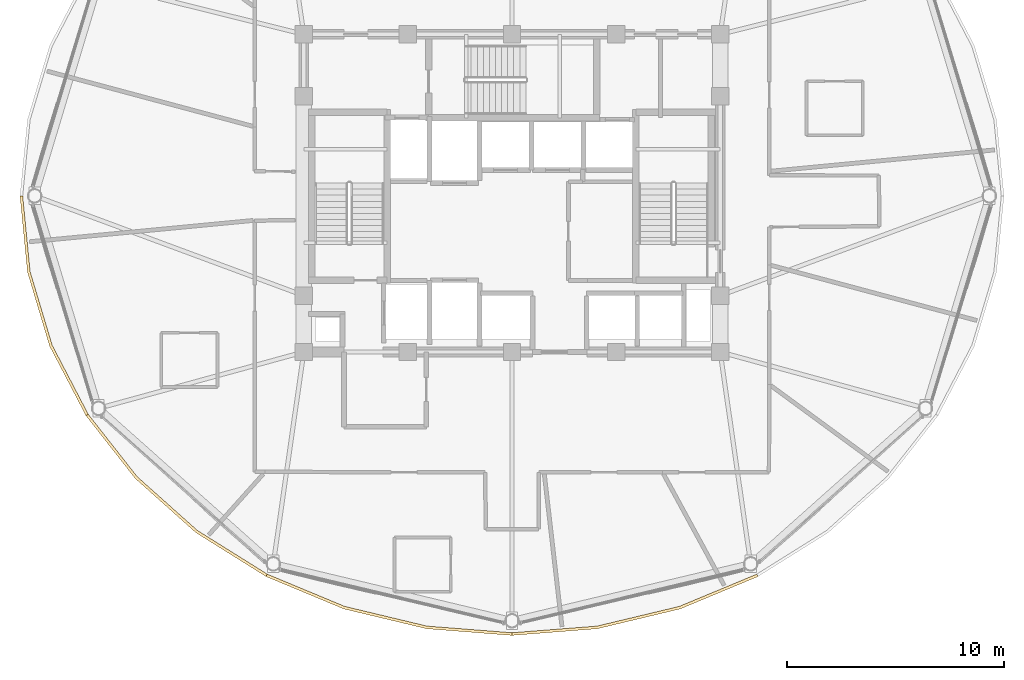
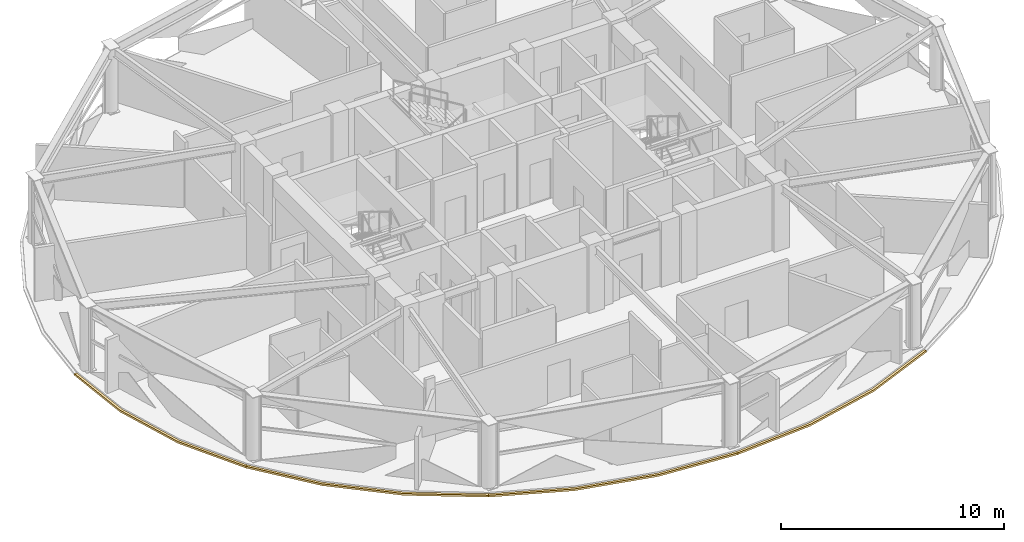
# One storey, part 25 of 28: 4 coverings.
"""IFC4 building model written with IfcOpenShell, lengths in metres."""

import ifcopenshell
import ifcopenshell.guid

model = None  # the IFC model being written
_history = None  # IfcOwnerHistory: only IFC2X3 demands one
_inside = {}  # id of a spatial element -> (the spatial element, [elements in it])
_under = {}  # id of a project, library or spatial element -> (it, [spatial elements below it])
_declared = {}  # id of a project -> (the project, [libraries it declares])
_typed = {}  # id of a type object -> (the type object, [elements of that type])
_made_of = {}  # id of a material, layer set ... -> (it, [elements and type objects made of it])


def new_model(schema):
    """Start an empty IFC model of exactly this schema.

    Asked for "IFC4X3", IfcOpenShell would pick the latest addendum, in which some entities
    have other attributes; the version numbers below select the first issue.
    IFC2X3 requires an IfcOwnerHistory on every rooted entity: one is made here for all.
    """
    global model, _history
    if schema == "IFC4X3":
        model = ifcopenshell.file(schema_version=(4, 3, 0, 0))
    else:
        model = ifcopenshell.file(schema=schema)
    _inside.clear()
    _under.clear()
    _declared.clear()
    _typed.clear()
    _made_of.clear()
    _history = None
    if model.schema == "IFC2X3":
        org = make("IfcOrganization", Name="unknown")
        user = make(
            "IfcPersonAndOrganization",
            ThePerson=make("IfcPerson", FamilyName="unknown"),
            TheOrganization=org,
        )
        app = make(
            "IfcApplication",
            ApplicationDeveloper=org,
            Version="unknown",
            ApplicationFullName="unknown",
            ApplicationIdentifier="unknown",
        )
        _history = make(
            "IfcOwnerHistory",
            OwningUser=user,
            OwningApplication=app,
            ChangeAction="ADDED",
            CreationDate=0,
        )
    return model


def make(cls, **values):
    """One entity of the class cls with the attributes given. An attribute that is None is left unset."""
    return model.create_entity(
        cls, **{name: value for name, value in values.items() if value is not None}
    )


def rooted(cls, **values):
    """An entity with a GlobalId (a new one), such as an element, a storey or a relation."""
    return make(cls, GlobalId=ifcopenshell.guid.new(), OwnerHistory=_history, **values)


def si_unit(unit_type, name, prefix=None):
    """IfcSIUnit, for example si_unit("LENGTHUNIT", "METRE", prefix="MILLI")."""
    return make("IfcSIUnit", UnitType=unit_type, Prefix=prefix, Name=name)


def assignment(units):
    """IfcUnitAssignment: the units of a project."""
    return None if units is None else make("IfcUnitAssignment", Units=units)


def point(xyz):
    """IfcCartesianPoint."""
    return None if xyz is None else make("IfcCartesianPoint", Coordinates=xyz)


def direction(xyz):
    """IfcDirection."""
    return None if xyz is None else make("IfcDirection", DirectionRatios=xyz)


def frame(location, z_axis=None, x_axis=None):
    """IfcAxis2Placement3D, a coordinate frame: its origin and axes. An axis left out is left unset."""
    return make(
        "IfcAxis2Placement3D",
        Location=point(location),
        Axis=direction(z_axis),
        RefDirection=direction(x_axis),
    )


def origin():
    """The frame at (0, 0, 0) with its axes left unset."""
    return frame((0.0, 0.0, 0.0))


def place(relative_to, where):
    """IfcLocalPlacement: puts the frame where relative to a parent placement (None: the world)."""
    return make(
        "IfcLocalPlacement", PlacementRelTo=relative_to, RelativePlacement=where
    )


def context(
    kind, dimensions, precision=None, world=None, true_north=None, identifier=None
):
    """IfcGeometricRepresentationContext, for example the 3D "Model" context."""
    return make(
        "IfcGeometricRepresentationContext",
        ContextIdentifier=identifier,
        ContextType=kind,
        CoordinateSpaceDimension=dimensions,
        Precision=precision,
        WorldCoordinateSystem=world,
        TrueNorth=true_north,
    )


def subcontext(parent, identifier, kind, view, scale=None):
    """IfcGeometricRepresentationSubContext, for example "Body" below "Model"."""
    return make(
        "IfcGeometricRepresentationSubContext",
        ContextIdentifier=identifier,
        ContextType=kind,
        ParentContext=parent,
        TargetScale=scale,
        TargetView=view,
    )


def project(units=None, contexts=None):
    """IfcProject with its units and contexts."""
    return rooted(
        "IfcProject",
        Name="project",
        RepresentationContexts=contexts,
        UnitsInContext=assignment(units),
    )


def spatial(cls, under=None, at=None, **own):
    """A site, building, storey or space (cls), placed at a placement, below another one or the project."""
    s = rooted(cls, ObjectPlacement=at, **own)
    if under is not None:
        _under.setdefault(under.id(), (under, []))[1].append(s)
    return s


def polyline(points):
    """IfcPolyline through the points."""
    return make("IfcPolyline", Points=[point(p) for p in points])


def outline(outer, holes=None, kind="AREA"):
    """IfcArbitraryClosedProfileDef: a profile drawn as a closed curve; with holes, ...WithVoids."""
    if holes is None:
        return make("IfcArbitraryClosedProfileDef", ProfileType=kind, OuterCurve=outer)
    return make(
        "IfcArbitraryProfileDefWithVoids",
        ProfileType=kind,
        OuterCurve=outer,
        InnerCurves=holes,
    )


def extrude(swept, where, along, depth):
    """IfcExtrudedAreaSolid: the profile swept, set in the frame where, extruded along a direction by depth."""
    return make(
        "IfcExtrudedAreaSolid",
        SweptArea=swept,
        Position=where,
        ExtrudedDirection=direction(along),
        Depth=depth,
    )


def shape(context_of_items, identifier, shape_type, items):
    """IfcShapeRepresentation: the items that make up one representation, for example the "Body"."""
    return make(
        "IfcShapeRepresentation",
        ContextOfItems=context_of_items,
        RepresentationIdentifier=identifier,
        RepresentationType=shape_type,
        Items=items,
    )


def material(Name=None, Category=None):
    """IfcMaterial."""
    return make("IfcMaterial", Name=Name, Category=Category)


def layer(
    of_material, thickness, ventilated=None, Name=None, Category=None, Priority=None
):
    """IfcMaterialLayer: one layer of a wall or slab, of a material (None: an air gap)."""
    return make(
        "IfcMaterialLayer",
        Material=of_material,
        LayerThickness=thickness,
        IsVentilated=ventilated,
        Name=Name,
        Category=Category,
        Priority=Priority,
    )


def layer_set(layers, Name=None):
    """IfcMaterialLayerSet."""
    return make("IfcMaterialLayerSet", MaterialLayers=layers, LayerSetName=Name)


def made_of(thing, what):
    """Note that an element or type object is made of a material, layer set ...; save() writes the relation."""
    if what is not None:
        _made_of.setdefault(what.id(), (what, []))[1].append(thing)
    return thing


def type_object(cls, material=None, **own):
    """A type object (cls), such as IfcWallType, which elements share."""
    return made_of(rooted(cls, **own), material)


def element(
    cls,
    number,
    at=None,
    inside=None,
    cuts=None,
    type_object=None,
    material=None,
    context=None,
    identifier="Body",
    shape_type=None,
    held_by="IfcProductDefinitionShape",
    body=None,
    shapes=None,
    **own,
):
    """One element of the class cls, such as IfcWall. Its Tag is "e" and its number.

    at: its placement. inside: the storey or other place that contains it. cuts: it is an
    opening in that element (IfcRelVoidsElement). A single representation is given by context,
    identifier, shape_type and body (its items); several are given by shapes. held_by: the class
    of the entity that holds the representations. save() writes the other relations.
    """
    e = rooted(cls, Tag="e%d" % number, ObjectPlacement=at, **own)
    if body is not None:
        shapes = [shape(context, identifier, shape_type, body)]
    if shapes is not None:
        e.Representation = make(held_by, Representations=shapes)
    if inside is not None:
        _inside.setdefault(inside.id(), (inside, []))[1].append(e)
    if cuts is not None:
        rooted(
            "IfcRelVoidsElement", RelatingBuildingElement=cuts, RelatedOpeningElement=e
        )
    if type_object is not None:
        _typed.setdefault(type_object.id(), (type_object, []))[1].append(e)
    return made_of(e, material)


def aggregate(whole, parts):
    """IfcRelAggregates: a whole, such as a stair, and the parts it consists of."""
    return rooted("IfcRelAggregates", RelatingObject=whole, RelatedObjects=parts)


def save(model, path):
    """Write the relations noted so far, then the file.

    IfcRelAggregates (storeys below a building ...), IfcRelContainedInSpatialStructure (elements
    in a storey), IfcRelDefinesByType, IfcRelAssociatesMaterial and IfcRelDeclares: one each for
    every whole, place, type object, material and project.
    """
    for whole, parts in _under.values():
        aggregate(whole, parts)
    for where, things in _inside.values():
        rooted(
            "IfcRelContainedInSpatialStructure",
            RelatedElements=things,
            RelatingStructure=where,
        )
    for kind, things in _typed.values():
        rooted("IfcRelDefinesByType", RelatedObjects=things, RelatingType=kind)
    for what, things in _made_of.values():
        rooted("IfcRelAssociatesMaterial", RelatedObjects=things, RelatingMaterial=what)
    for by, libraries in _declared.values():
        rooted("IfcRelDeclares", RelatingContext=by, RelatedDefinitions=libraries)
    model.write(path)


model = new_model("IFC4")

# Units and contexts
model_context = context("Model", 3, precision=1e-05, world=origin(), true_north=direction((0.0, 1.0)))
body_context = subcontext(model_context, "Body", "Model", "MODEL_VIEW")
ifc_project = project(units=[si_unit("LENGTHUNIT", "METRE"), si_unit("AREAUNIT", "SQUARE_METRE"), si_unit("VOLUMEUNIT", "CUBIC_METRE"), si_unit("PLANEANGLEUNIT", "RADIAN"), si_unit("MASSUNIT", "GRAM", prefix="KILO")], contexts=[model_context])

# Site, building, storey
site_placement = place(None, origin())
site = spatial("IfcSite", under=ifc_project, at=site_placement, CompositionType="ELEMENT")
building_placement = place(site_placement, origin())
building = spatial("IfcBuilding", under=site, at=building_placement, Name="Vantalir Tower", CompositionType="ELEMENT")
storey_placement = place(building_placement, frame((0.0, 0.0, 223.64990234375)))
storey = spatial("IfcBuildingStorey", under=building, at=storey_placement, Name="L56", CompositionType="ELEMENT", Elevation=223.64990234375)

# Coverings
ifc_material = material(Name="Anodised champagne aluminium sill fascia", Category="aluminium")
ifc_layer = layer(ifc_material, 0.125)
ifc_layer_set = layer_set([ifc_layer], Name="Anodised champagne aluminium sill fascia")
covering_type = type_object("IfcCoveringType", Name="COV-SLAB-FASCIA-125", PredefinedType="CLADDING", material=ifc_layer_set)
covering_1_placement = place(storey_placement, frame((0.0, 0.0, -0.179931640625)))
element("IfcCovering", 1, at=covering_1_placement, inside=storey, type_object=covering_type, Name="L56 Perimeter Slab-Edge Sill Fascia 07", PredefinedType="CLADDING", context=body_context, shape_type="SweptSolid", body=[
    extrude(outline(polyline([(8.81201171875, 25.0), (9.156982421875, 21.47998046875), (10.179931640625, 18.06689453125), (11.85205078125, 14.864013671875), (11.9599609375, 14.927001953125), (10.298095703125, 18.110107421875), (9.280029296875, 21.501953125), (8.93701171875, 25.0), (8.81201171875, 25.0)])), origin(), (0.0, 0.0, 1.0), 0.10498046875),
])
covering_2_placement = place(storey_placement, frame((0.0, 0.0, -0.179931640625)))
element("IfcCovering", 2, at=covering_2_placement, inside=storey, type_object=covering_type, Name="L56 Perimeter Slab-Edge Sill Fascia 08", PredefinedType="CLADDING", context=body_context, shape_type="SweptSolid", body=[
    extrude(outline(polyline([(11.85205078125, 14.864013671875), (14.1201171875, 11.969970703125), (16.916015625, 9.471923828125), (20.156005859375, 7.445068359375), (20.218017578125, 7.552978515625), (16.9970703125, 9.56689453125), (14.216064453125, 12.050048828125), (11.9599609375, 14.927001953125), (11.85205078125, 14.864013671875)])), origin(), (0.0, 0.0, 1.0), 0.10498046875),
])
covering_3_placement = place(storey_placement, frame((0.0, 0.0, -0.179931640625)))
element("IfcCovering", 3, at=covering_3_placement, inside=storey, type_object=covering_type, Name="L56 Perimeter Slab-Edge Sill Fascia 09", PredefinedType="CLADDING", context=body_context, shape_type="SweptSolid", body=[
    extrude(outline(polyline([(20.156005859375, 7.445068359375), (23.739990234375, 5.950927734375), (27.56005859375, 5.037109375), (31.5, 4.72900390625), (31.5, 4.85400390625), (27.58203125, 5.159912109375), (23.782958984375, 6.069091796875), (20.218017578125, 7.552978515625), (20.156005859375, 7.445068359375)])), origin(), (0.0, 0.0, 1.0), 0.10498046875),
])
covering_4_placement = place(storey_placement, frame((0.0, 0.0, -0.179931640625)))
element("IfcCovering", 4, at=covering_4_placement, inside=storey, type_object=covering_type, Name="L56 Perimeter Slab-Edge Sill Fascia 10", PredefinedType="CLADDING", context=body_context, shape_type="SweptSolid", body=[
    extrude(outline(polyline([(31.5, 4.72900390625), (35.43994140625, 5.037109375), (39.260009765625, 5.950927734375), (42.843994140625, 7.445068359375), (42.781982421875, 7.552978515625), (39.217041015625, 6.069091796875), (35.41796875, 5.159912109375), (31.5, 4.85400390625), (31.5, 4.72900390625)])), origin(), (0.0, 0.0, 1.0), 0.10498046875),
])

save(model, "model.ifc")
